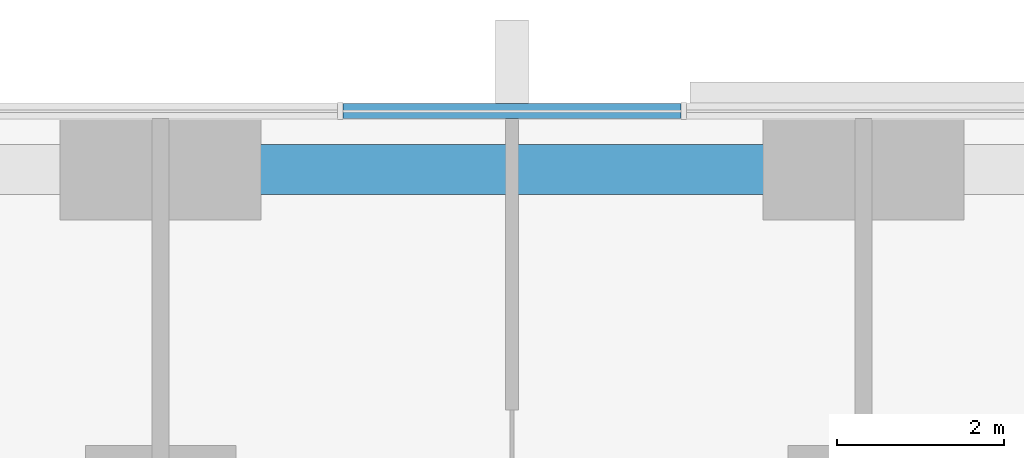
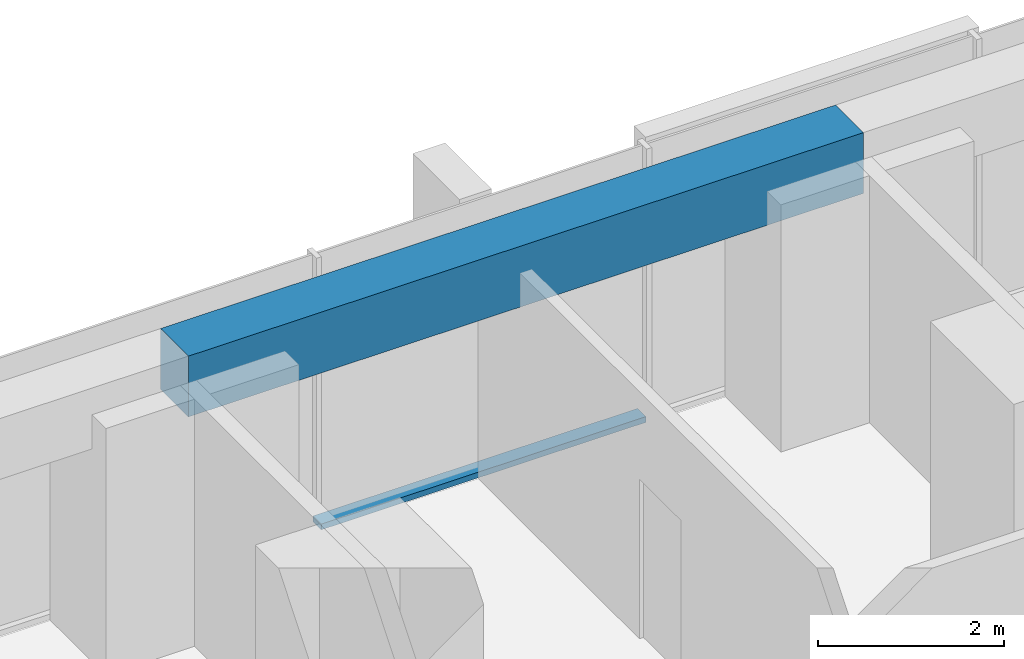
# One storey, part 7 of 17: 1 beam, 1 member, 1 element without a shape of its own.
"""IFC4 building model written with IfcOpenShell, lengths in metres."""

from ifc_helpers import new_model, si_unit, direction, frame, origin, origin_2d, place, context, subcontext, project, spatial, rectangle, extrude, material, material_profile, profile_set, type_object, element, aggregate, save


model = new_model("IFC4")

# Units and contexts
model_context = context("Model", 3, precision=1e-05, world=origin(), true_north=direction((0.0, 1.0)))
body_context = subcontext(model_context, "Body", "Model", "MODEL_VIEW")
ifc_project = project(units=[si_unit("LENGTHUNIT", "METRE"), si_unit("AREAUNIT", "SQUARE_METRE"), si_unit("VOLUMEUNIT", "CUBIC_METRE"), si_unit("PLANEANGLEUNIT", "RADIAN"), si_unit("MASSUNIT", "GRAM", prefix="KILO")], contexts=[model_context])

# Site, building, storey
site_placement = place(None, origin())
site = spatial("IfcSite", under=ifc_project, at=site_placement, CompositionType="ELEMENT")
building_placement = place(site_placement, origin())
building = spatial("IfcBuilding", under=site, at=building_placement, Name="Dunama Terrace Hotel", CompositionType="ELEMENT")
storey_placement = place(building_placement, frame((0.0, 0.0, 48.60009765625)))
storey = spatial("IfcBuildingStorey", under=building, at=storey_placement, Name="L11", CompositionType="ELEMENT", Elevation=48.60009765625)

# Curtain wall, member
ifc_material_1 = material(Name="Aluminium curtain wall system", Category="aluminium")
curtain_wall_type = type_object("IfcCurtainWallType", Name="Unitised fritted glass wall CW-A", PredefinedType="NOTDEFINED", material=ifc_material_1)
curtain_wall_placement = place(storey_placement, origin())
curtain_wall = element("IfcCurtainWall", 1, at=curtain_wall_placement, inside=storey, type_object=curtain_wall_type, Name="Unitised fritted glass wall CW-A L11", PredefinedType="NOTDEFINED")
ifc_material_2 = material(Name="Aluminium transom", Category="aluminium")
ifc_material_profile_1 = material_profile(ifc_material_2, rectangle(XDim=0.179931640625, YDim=0.074951171875, at=origin_2d()), Name="CWA TRANSOM 180X75")
ifc_profile_set_1 = profile_set([ifc_material_profile_1], Name="Aluminium transom")
member_type = type_object("IfcMemberType", Name="CWA transom 180x75", PredefinedType="USERDEFINED", material=ifc_profile_set_1)
member_placement = place(storey_placement, frame((31.4208984375, 58.89990234375, 0.037353515625), z_axis=(-1.0, 0.0, 0.0), x_axis=(0.0, -1.0, 0.0)))
member = element("IfcMember", 2, at=member_placement, type_object=member_type, Name="CWA transom", ObjectType="TRANSOM", PredefinedType="USERDEFINED", context=body_context, shape_type="SweptSolid", body=[
    extrude(rectangle(XDim=0.179931640625, YDim=0.074951171875, at=origin_2d()), origin(), (0.0, 0.0, 1.0), 4.0419921875),
])
aggregate(curtain_wall, [member])

# Beam
ifc_material_3 = material(Name="Concrete C40/50", Category="concrete")
ifc_material_profile_2 = material_profile(ifc_material_3, rectangle(XDim=0.60009765625, YDim=0.800048828125, at=origin_2d()), Name="RC 600x800")
ifc_profile_set_2 = profile_set([ifc_material_profile_2], Name="Concrete C40/50")
beam_type = type_object("IfcBeamType", Name="Edge beam RC 600x800", PredefinedType="SPANDREL", material=ifc_profile_set_2)
beam_placement = place(storey_placement, frame((25.199951171875, 58.199951171875, 3.199951171875), z_axis=(1.0, 0.0, 0.0), x_axis=(0.0, 1.0, 0.0)))
element("IfcBeam", 3, at=beam_placement, inside=storey, type_object=beam_type, Name="Edge beam under L12", PredefinedType="SPANDREL", context=body_context, shape_type="SweptSolid", body=[
    extrude(rectangle(XDim=0.60009765625, YDim=0.800048828125, at=origin_2d()), origin(), (0.0, 0.0, 1.0), 8.400146484375),
])

save(model, "model.ifc")
